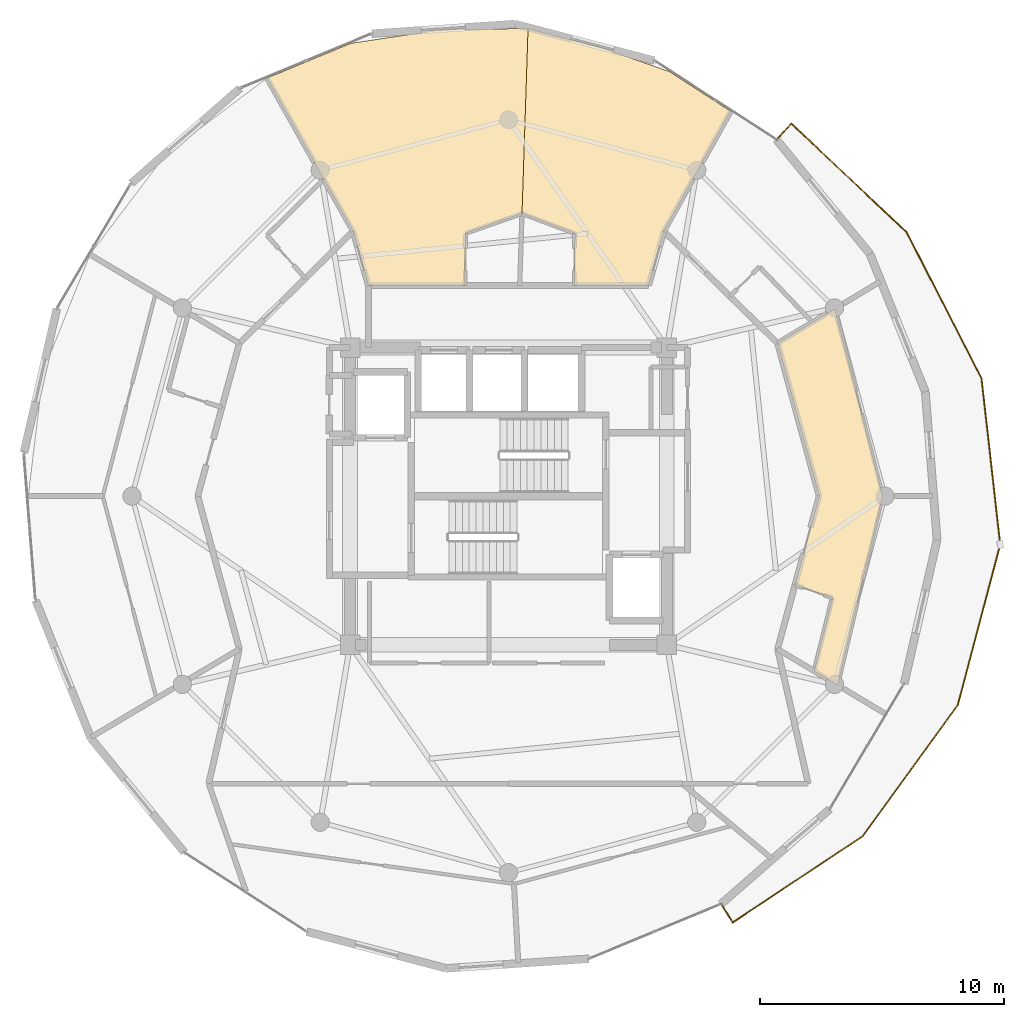
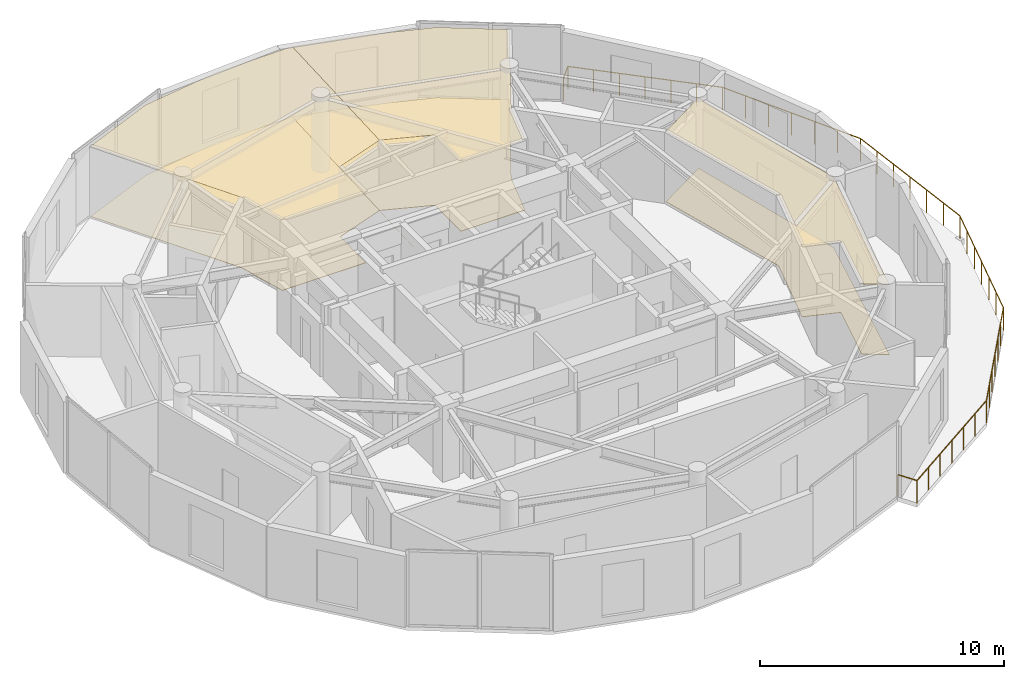
# One storey, part 22 of 22: 6 coverings, 1 railing.
"""IFC4 building model written with IfcOpenShell, lengths in metres."""

from ifc_helpers import new_model, si_unit, direction, frame, origin, origin_2d, place, context, subcontext, project, spatial, polyline, circle, outline, extrude, material, layer, layer_set, type_object, element, save


model = new_model("IFC4")

# Units and contexts
model_context = context("Model", 3, precision=1e-05, world=origin(), true_north=direction((0.0, 1.0)))
body_context = subcontext(model_context, "Body", "Model", "MODEL_VIEW")
ifc_project = project(units=[si_unit("LENGTHUNIT", "METRE"), si_unit("AREAUNIT", "SQUARE_METRE"), si_unit("VOLUMEUNIT", "CUBIC_METRE"), si_unit("PLANEANGLEUNIT", "RADIAN"), si_unit("MASSUNIT", "GRAM", prefix="KILO")], contexts=[model_context])

# Site, building, storey
site_placement = place(None, origin())
site = spatial("IfcSite", under=ifc_project, at=site_placement, CompositionType="ELEMENT")
building_placement = place(site_placement, origin())
building = spatial("IfcBuilding", under=site, at=building_placement, Name="Solvirekh Grand Hotel", CompositionType="ELEMENT")
storey_placement = place(building_placement, frame((0.0, 0.0, 239.199951171875)))
storey = spatial("IfcBuildingStorey", under=building, at=storey_placement, Name="L62", CompositionType="ELEMENT", Elevation=239.199951171875)

# Coverings
ifc_material_1 = material(Name="Acoustic Mineral Ceiling Tile")
ifc_layer_1 = layer(ifc_material_1, 0.02490234375)
ifc_layer_set_1 = layer_set([ifc_layer_1], Name="Acoustic Mineral Ceiling Tile")
covering_type_1 = type_object("IfcCoveringType", Name="Cov_Ceiling_Acoustic", PredefinedType="CEILING", material=ifc_layer_set_1)
covering_1_placement = place(storey_placement, frame((0.0, 0.0, 3.52001953125)))
element("IfcCovering", 1, at=covering_1_placement, inside=storey, type_object=covering_type_1, Name="L62 Deluxe Guestroom 6401 acoustic ceiling", PredefinedType="CEILING", context=body_context, shape_type="SweptSolid", body=[
    extrude(outline(polyline([(0.555908203125, 11.60205078125), (2.721923828125, 10.785888671875), (2.7099609375, 8.64990234375), (5.75, 8.64990234375), (6.375, 10.868896484375), (9.118896484375, 15.7939453125), (6.615966796875, 17.416015625), (3.779052734375, 18.412109375), (0.803955078125, 19.194091796875), (0.555908203125, 11.60205078125)])), origin(), (0.0, 0.0, 1.0), 0.01806640625),
])
covering_2_placement = place(storey_placement, frame((0.0, 0.0, 3.52001953125)))
element("IfcCovering", 2, at=covering_2_placement, inside=storey, type_object=covering_type_1, Name="L62 Panorama Suite 6402 acoustic ceiling", PredefinedType="CEILING", context=body_context, shape_type="SweptSolid", body=[
    extrude(outline(polyline([(-1.7900390625, 8.64990234375), (-1.76708984375, 10.785888671875), (0.555908203125, 11.60205078125), (0.4599609375, 8.64990234375), (0.803955078125, 19.194091796875), (-2.824951171875, 19.132080078125), (-6.470947265625, 18.5810546875), (-9.905029296875, 17.156005859375), (-6.375, 10.868896484375), (-5.75, 8.64990234375), (-1.7900390625, 8.64990234375)])), origin(), (0.0, 0.0, 1.0), 0.01806640625),
])
covering_3_placement = place(storey_placement, frame((0.0, 0.0, 3.52001953125)))
element("IfcCovering", 3, at=covering_3_placement, inside=storey, type_object=covering_type_1, Name="L62 Executive Suite 6405 Living Room acoustic ceiling", PredefinedType="CEILING", context=body_context, shape_type="SweptSolid", body=[
    extrude(outline(polyline([(13.294921875, -4.1630859375), (12.5439453125, -7.176025390625), (13.51611328125, -7.759033203125), (15.35693359375, 0.0), (13.39697265625, 7.69091796875), (11.0419921875, 6.27490234375), (12.75, 0.0), (11.759033203125, -3.639892578125), (13.294921875, -4.1630859375)])), origin(), (0.0, 0.0, 1.0), 0.01806640625),
])
ifc_material_2 = material(Name="Porcelain Stoneware Flooring", Category="masonry")
ifc_layer_2 = layer(ifc_material_2, 0.030029296875)
ifc_layer_set_2 = layer_set([ifc_layer_2], Name="Porcelain Stoneware Flooring")
covering_type_2 = type_object("IfcCoveringType", Name="Cov_Floor_Stone", PredefinedType="FLOORING", material=ifc_layer_set_2)
covering_4_placement = place(storey_placement, origin())
element("IfcCovering", 4, at=covering_4_placement, inside=storey, type_object=covering_type_2, Name="L62 Deluxe Guestroom 6401 polished granite flooring", PredefinedType="FLOORING", context=body_context, shape_type="SweptSolid", body=[
    extrude(outline(polyline([(0.555908203125, 11.60205078125), (2.721923828125, 10.785888671875), (2.7099609375, 8.64990234375), (5.75, 8.64990234375), (6.375, 10.868896484375), (9.118896484375, 15.7939453125), (6.615966796875, 17.416015625), (3.779052734375, 18.412109375), (0.803955078125, 19.194091796875), (0.555908203125, 11.60205078125)])), origin(), (0.0, 0.0, 1.0), 0.02001953125),
])
covering_5_placement = place(storey_placement, origin())
element("IfcCovering", 5, at=covering_5_placement, inside=storey, type_object=covering_type_2, Name="L62 Panorama Suite 6402 polished granite flooring", PredefinedType="FLOORING", context=body_context, shape_type="SweptSolid", body=[
    extrude(outline(polyline([(-1.7900390625, 8.64990234375), (-1.76708984375, 10.785888671875), (0.555908203125, 11.60205078125), (0.4599609375, 8.64990234375), (0.803955078125, 19.194091796875), (-2.824951171875, 19.132080078125), (-6.470947265625, 18.5810546875), (-9.905029296875, 17.156005859375), (-6.375, 10.868896484375), (-5.75, 8.64990234375), (-1.7900390625, 8.64990234375)])), origin(), (0.0, 0.0, 1.0), 0.02001953125),
])
covering_6_placement = place(storey_placement, origin())
element("IfcCovering", 6, at=covering_6_placement, inside=storey, type_object=covering_type_2, Name="L62 Executive Suite 6405 Living Room polished granite flooring", PredefinedType="FLOORING", context=body_context, shape_type="SweptSolid", body=[
    extrude(outline(polyline([(13.294921875, -4.1630859375), (12.5439453125, -7.176025390625), (13.51611328125, -7.759033203125), (15.35693359375, 0.0), (13.39697265625, 7.69091796875), (11.0419921875, 6.27490234375), (12.75, 0.0), (11.759033203125, -3.639892578125), (13.294921875, -4.1630859375)])), origin(), (0.0, 0.0, 1.0), 0.02001953125),
])

# Railing
ifc_material_3 = material(Name="Anodized Bronze Aluminium 6063-T6", Category="aluminium")
railing_type = type_object("IfcRailingType", Name="Guard_ExtGlass_1150", PredefinedType="BALUSTRADE", material=ifc_material_3)
railing_placement = place(storey_placement, frame((8.72607421875, -16.73291015625, 0.0)))
element("IfcRailing", 7, at=railing_placement, inside=storey, type_object=railing_type, Name="L62 balc perimeter glass balustrade", PredefinedType="BALUSTRADE", context=body_context, shape_type="SweptSolid", body=[
    extrude(circle(Radius=0.02392578125, at=origin_2d()), frame((0.0, 0.0, 1.1259765625), z_axis=(0.527801864372, -0.849367524671, 0.0), x_axis=(0.849367524671, 0.527801864372, 0.0)), (0.0, 0.0, 1.0), 0.899658203125),
    extrude(circle(Radius=0.02392578125, at=origin_2d()), frame((0.474853515625, -0.76416015625, 1.1259765625), z_axis=(0.83315301508, 0.553042542182, 0.0), x_axis=(-0.553042542182, 0.83315301508, 0.0)), (0.0, 0.0, 1.0), 6.39404296875),
    extrude(circle(Radius=0.02392578125, at=origin_2d()), frame((5.802001953125, 2.77197265625, 1.1259765625), z_axis=(0.5874933048, 0.809229026182, 0.0), x_axis=(-0.809229026182, 0.5874933048, 0.0)), (0.0, 0.0, 1.0), 6.656982421875),
    extrude(circle(Radius=0.02392578125, at=origin_2d()), frame((9.712890625, 8.158935546875, 1.1259765625), z_axis=(0.255381648203, 0.966840324853, 0.0), x_axis=(-0.966840324853, 0.255381648203, 0.0)), (0.0, 0.0, 1.0), 6.817138671875),
    extrude(circle(Radius=0.02392578125, at=origin_2d()), frame((11.453857421875, 14.75, 1.1259765625), z_axis=(-0.111824254158, 0.993727999093, 0.0), x_axis=(-0.993727999093, -0.111824254158, 0.0)), (0.0, 0.0, 1.0), 6.848876953125),
    extrude(circle(Radius=0.02392578125, at=origin_2d()), frame((10.68798828125, 21.555908203125, 1.1259765625), z_axis=(-0.455447117685, 0.890262839274, 0.0), x_axis=(-0.890262839274, -0.455447117685, 0.0)), (0.0, 0.0, 1.0), 6.7451171875),
    extrude(circle(Radius=0.02392578125, at=origin_2d()), frame((7.615966796875, 27.560791015625, 1.1259765625), z_axis=(-0.72789943956, 0.685683896477, 0.0), x_axis=(-0.685683896477, -0.72789943956, 0.0)), (0.0, 0.0, 1.0), 6.511962890625),
    extrude(circle(Radius=0.02392578125, at=origin_2d()), frame((2.8759765625, 32.02587890625, 1.1259765625), z_axis=(-0.667824983219, -0.744318340355, 0.0), x_axis=(0.744318340355, -0.667824983219, 0.0)), (0.0, 0.0, 1.0), 0.900146484375),
    extrude(circle(Radius=0.02099609375, at=origin_2d()), origin(), (0.0, 0.0, 1.0), 1.101806640625),
    extrude(circle(Radius=0.02099609375, at=origin_2d()), frame((0.474853515625, -0.76416015625, 0.0)), (0.0, 0.0, 1.0), 1.101806640625),
    extrude(circle(Radius=0.02099609375, at=origin_2d()), frame((1.36279296875, -0.1748046875, 0.0)), (0.0, 0.0, 1.0), 1.101806640625),
    extrude(circle(Radius=0.02099609375, at=origin_2d()), frame((2.25048828125, 0.41455078125, 0.0)), (0.0, 0.0, 1.0), 1.101806640625),
    extrude(circle(Radius=0.02099609375, at=origin_2d()), frame((3.138427734375, 1.00390625, 0.0)), (0.0, 0.0, 1.0), 1.101806640625),
    extrude(circle(Radius=0.02099609375, at=origin_2d()), frame((4.0263671875, 1.59326171875, 0.0)), (0.0, 0.0, 1.0), 1.101806640625),
    extrude(circle(Radius=0.02099609375, at=origin_2d()), frame((4.9140625, 2.1826171875, 0.0)), (0.0, 0.0, 1.0), 1.101806640625),
    extrude(circle(Radius=0.02099609375, at=origin_2d()), frame((5.802001953125, 2.77197265625, 0.0)), (0.0, 0.0, 1.0), 1.101806640625),
    extrude(circle(Radius=0.02099609375, at=origin_2d()), frame((6.453857421875, 3.669921875, 0.0)), (0.0, 0.0, 1.0), 1.101806640625),
    extrude(circle(Radius=0.02099609375, at=origin_2d()), frame((7.105712890625, 4.567626953125, 0.0)), (0.0, 0.0, 1.0), 1.101806640625),
    extrude(circle(Radius=0.02099609375, at=origin_2d()), frame((7.75732421875, 5.46533203125, 0.0)), (0.0, 0.0, 1.0), 1.101806640625),
    extrude(circle(Radius=0.02099609375, at=origin_2d()), frame((8.4091796875, 6.36328125, 0.0)), (0.0, 0.0, 1.0), 1.101806640625),
    extrude(circle(Radius=0.02099609375, at=origin_2d()), frame((9.06103515625, 7.26123046875, 0.0)), (0.0, 0.0, 1.0), 1.101806640625),
    extrude(circle(Radius=0.02099609375, at=origin_2d()), frame((9.712890625, 8.158935546875, 0.0)), (0.0, 0.0, 1.0), 1.101806640625),
    extrude(circle(Radius=0.02099609375, at=origin_2d()), frame((10.0029296875, 9.25732421875, 0.0)), (0.0, 0.0, 1.0), 1.101806640625),
    extrude(circle(Radius=0.02099609375, at=origin_2d()), frame((10.293212890625, 10.35595703125, 0.0)), (0.0, 0.0, 1.0), 1.101806640625),
    extrude(circle(Radius=0.02099609375, at=origin_2d()), frame((10.58349609375, 11.45458984375, 0.0)), (0.0, 0.0, 1.0), 1.101806640625),
    extrude(circle(Radius=0.02099609375, at=origin_2d()), frame((10.87353515625, 12.552978515625, 0.0)), (0.0, 0.0, 1.0), 1.101806640625),
    extrude(circle(Radius=0.02099609375, at=origin_2d()), frame((11.16357421875, 13.6513671875, 0.0)), (0.0, 0.0, 1.0), 1.101806640625),
    extrude(circle(Radius=0.02099609375, at=origin_2d()), frame((11.453857421875, 14.75, 0.0)), (0.0, 0.0, 1.0), 1.101806640625),
    extrude(circle(Radius=0.02099609375, at=origin_2d()), frame((11.326171875, 15.88427734375, 0.0)), (0.0, 0.0, 1.0), 1.101806640625),
    extrude(circle(Radius=0.02099609375, at=origin_2d()), frame((11.198486328125, 17.0185546875, 0.0)), (0.0, 0.0, 1.0), 1.101806640625),
    extrude(circle(Radius=0.02099609375, at=origin_2d()), frame((11.07080078125, 18.15283203125, 0.0)), (0.0, 0.0, 1.0), 1.101806640625),
    extrude(circle(Radius=0.02099609375, at=origin_2d()), frame((10.943359375, 19.287353515625, 0.0)), (0.0, 0.0, 1.0), 1.101806640625),
    extrude(circle(Radius=0.02099609375, at=origin_2d()), frame((10.815673828125, 20.421630859375, 0.0)), (0.0, 0.0, 1.0), 1.101806640625),
    extrude(circle(Radius=0.02099609375, at=origin_2d()), frame((10.68798828125, 21.555908203125, 0.0)), (0.0, 0.0, 1.0), 1.101806640625),
    extrude(circle(Radius=0.02099609375, at=origin_2d()), frame((10.176025390625, 22.556640625, 0.0)), (0.0, 0.0, 1.0), 1.101806640625),
    extrude(circle(Radius=0.02099609375, at=origin_2d()), frame((9.6640625, 23.5576171875, 0.0)), (0.0, 0.0, 1.0), 1.101806640625),
    extrude(circle(Radius=0.02099609375, at=origin_2d()), frame((9.15185546875, 24.558349609375, 0.0)), (0.0, 0.0, 1.0), 1.101806640625),
    extrude(circle(Radius=0.02099609375, at=origin_2d()), frame((8.639892578125, 25.55908203125, 0.0)), (0.0, 0.0, 1.0), 1.101806640625),
    extrude(circle(Radius=0.02099609375, at=origin_2d()), frame((8.1279296875, 26.56005859375, 0.0)), (0.0, 0.0, 1.0), 1.101806640625),
    extrude(circle(Radius=0.02099609375, at=origin_2d()), frame((7.615966796875, 27.560791015625, 0.0)), (0.0, 0.0, 1.0), 1.101806640625),
    extrude(circle(Radius=0.02099609375, at=origin_2d()), frame((6.825927734375, 28.304931640625, 0.0)), (0.0, 0.0, 1.0), 1.101806640625),
    extrude(circle(Radius=0.02099609375, at=origin_2d()), frame((6.035888671875, 29.049072265625, 0.0)), (0.0, 0.0, 1.0), 1.101806640625),
    extrude(circle(Radius=0.02099609375, at=origin_2d()), frame((5.24609375, 29.79345703125, 0.0)), (0.0, 0.0, 1.0), 1.101806640625),
    extrude(circle(Radius=0.02099609375, at=origin_2d()), frame((4.4560546875, 30.53759765625, 0.0)), (0.0, 0.0, 1.0), 1.101806640625),
    extrude(circle(Radius=0.02099609375, at=origin_2d()), frame((3.666015625, 31.28173828125, 0.0)), (0.0, 0.0, 1.0), 1.101806640625),
    extrude(circle(Radius=0.02099609375, at=origin_2d()), frame((2.8759765625, 32.02587890625, 0.0)), (0.0, 0.0, 1.0), 1.101806640625),
    extrude(circle(Radius=0.02099609375, at=origin_2d()), frame((2.27490234375, 31.35595703125, 0.0)), (0.0, 0.0, 1.0), 1.101806640625),
])

save(model, "model.ifc")
